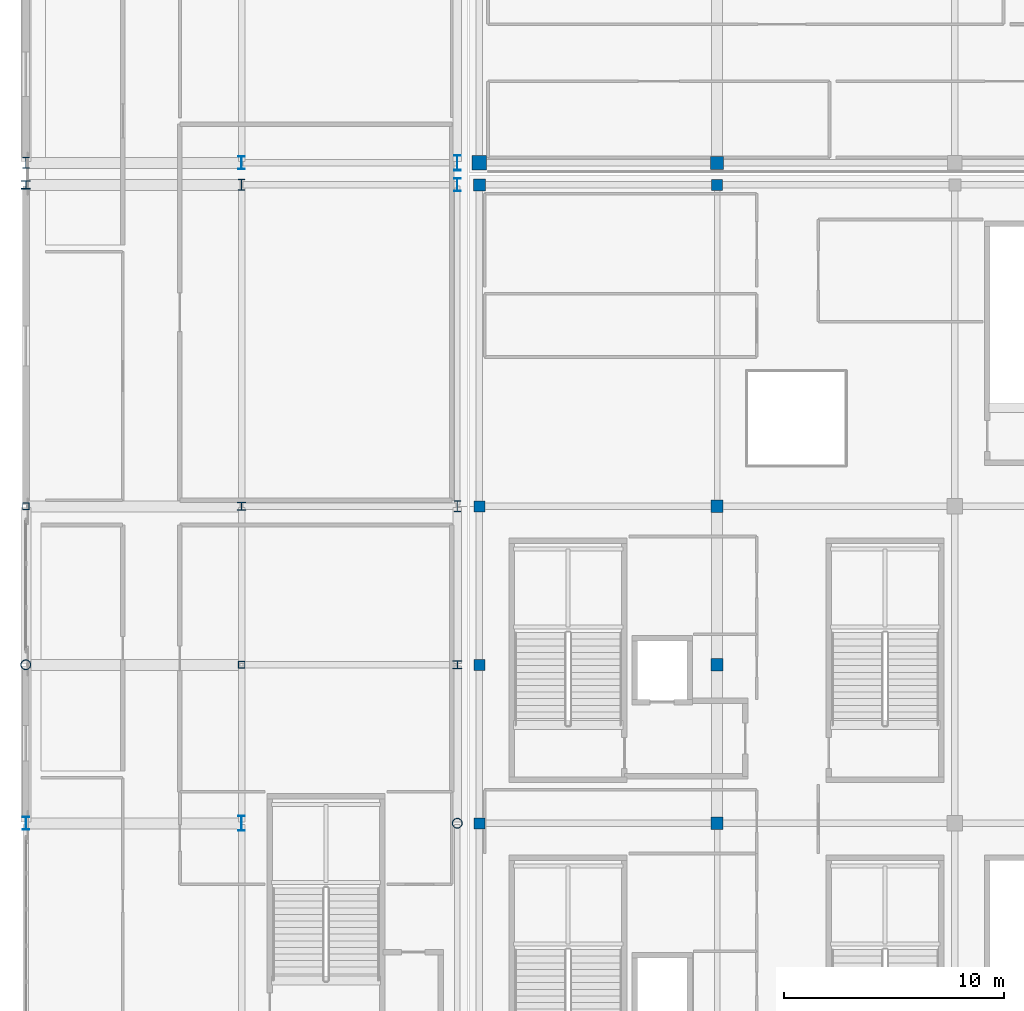
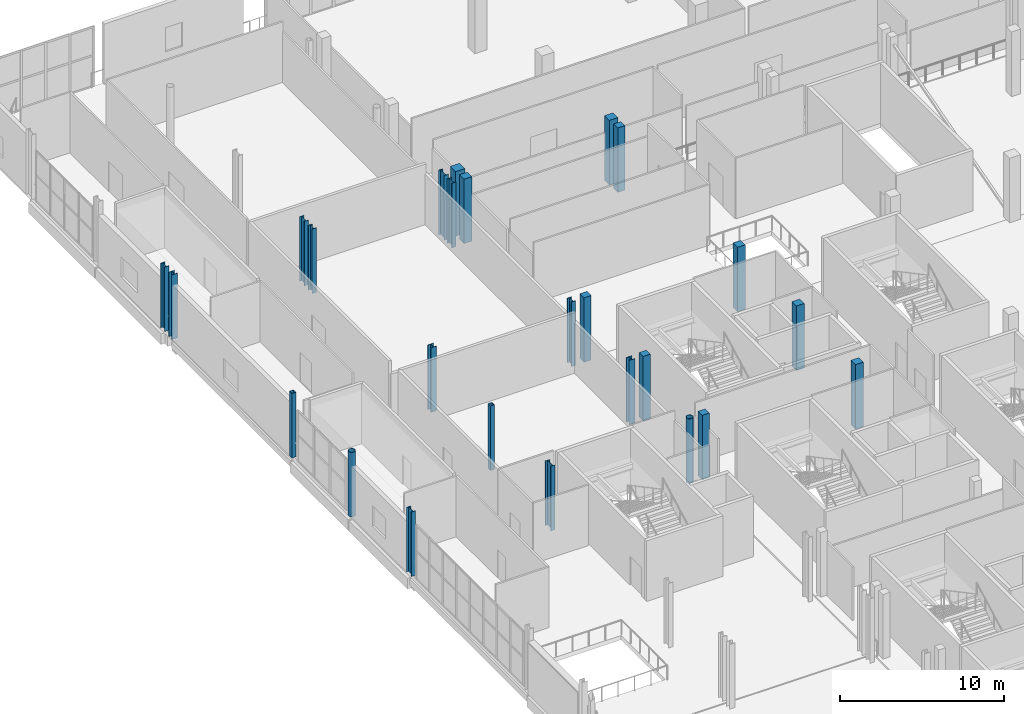
# One storey, part 7 of 129: 25 columns.
"""IFC4 building model written with IfcOpenShell, lengths in metres."""

from ifc_helpers import new_model, si_unit, direction, frame, origin, origin_2d, place, context, subcontext, project, spatial, rectangle, hollow_rectangle, hollow_circle, i_section, extrude, material, material_profile, profile_set, type_object, element, save


model = new_model("IFC4")

# Units and contexts
model_context = context("Model", 3, precision=1e-05, world=origin(), true_north=direction((0.0, 1.0)))
body_context = subcontext(model_context, "Body", "Model", "MODEL_VIEW")
ifc_project = project(units=[si_unit("LENGTHUNIT", "METRE"), si_unit("AREAUNIT", "SQUARE_METRE"), si_unit("VOLUMEUNIT", "CUBIC_METRE"), si_unit("PLANEANGLEUNIT", "RADIAN"), si_unit("MASSUNIT", "GRAM", prefix="KILO")], contexts=[model_context])

# Site, building, storey
site_placement = place(None, origin())
site = spatial("IfcSite", under=ifc_project, at=site_placement, CompositionType="ELEMENT")
building_placement = place(site_placement, origin())
building = spatial("IfcBuilding", under=site, at=building_placement, Name="Koshinbarg Plaza Stadium", CompositionType="ELEMENT")
storey_placement = place(building_placement, frame((0.0, 0.0, 5.39990234375)))
storey = spatial("IfcBuildingStorey", under=building, at=storey_placement, Name="L01", CompositionType="ELEMENT", Elevation=5.39990234375)

# Columns
ifc_material_1 = material(Name="Concrete C40/50", Category="concrete")
ifc_material_profile_1 = material_profile(ifc_material_1, rectangle(XDim=0.5, YDim=0.5, at=origin_2d()), Name="RC 500x500")
ifc_profile_set_1 = profile_set([ifc_material_profile_1], Name="Concrete C40/50")
column_type_1 = type_object("IfcColumnType", Name="COL-RC-02", PredefinedType="COLUMN", material=ifc_profile_set_1)
for number, where, z_axis, x_axis, name in (
    (1, (24.60009765625, 97.5, 0.0), (0.0, 0.0, 1.0), (1.0, 0.0, 0.0), "L01 column 5/N"),
    (2, (24.60009765625, 104.699951171875, 0.0), (0.0, 0.0, 1.0), (1.0, 0.0, 0.0), "L01 column 5/P"),
    (3, (24.60009765625, 111.89990234375, 0.0), (0.0, 0.0, 1.0), (1.0, 0.0, 0.0), "L01 column 5/Q"),
    (4, (35.39990234375, 126.5, 0.0), (0.0, 0.0, 1.0), (1.0, 0.0, 0.0), "L01 column 6/R"),
):
    element("IfcColumn", number, at=place(storey_placement, frame(where, z_axis=z_axis, x_axis=x_axis)), inside=storey, type_object=column_type_1, Name=name, PredefinedType="COLUMN", context=body_context, shape_type="SweptSolid", body=[
        extrude(rectangle(XDim=0.5, YDim=0.5, at=origin_2d()), origin(), (0.0, 0.0, 1.0), 4.800048828125),
    ])
ifc_material_profile_2 = material_profile(ifc_material_1, rectangle(XDim=0.550048828125, YDim=0.550048828125, at=origin_2d()), Name="RC 550x550")
ifc_profile_set_2 = profile_set([ifc_material_profile_2], Name="Concrete C40/50")
column_type_2 = type_object("IfcColumnType", Name="COL-RC-03", PredefinedType="COLUMN", material=ifc_profile_set_2)
for number, where, z_axis, x_axis, name in (
    (5, (24.60009765625, 126.5, 0.0), (0.0, 0.0, 1.0), (1.0, 0.0, 0.0), "L01 column 5/R"),
    (6, (35.39990234375, 97.5, 0.0), (0.0, 0.0, 1.0), (1.0, 0.0, 0.0), "L01 column 6/N"),
    (7, (35.39990234375, 104.699951171875, 0.0), (0.0, 0.0, 1.0), (1.0, 0.0, 0.0), "L01 column 6/P"),
    (8, (35.39990234375, 111.89990234375, 0.0), (0.0, 0.0, 1.0), (1.0, 0.0, 0.0), "L01 column 6/Q"),
):
    element("IfcColumn", number, at=place(storey_placement, frame(where, z_axis=z_axis, x_axis=x_axis)), inside=storey, type_object=column_type_2, Name=name, PredefinedType="COLUMN", context=body_context, shape_type="SweptSolid", body=[
        extrude(rectangle(XDim=0.550048828125, YDim=0.550048828125, at=origin_2d()), origin(), (0.0, 0.0, 1.0), 4.800048828125),
    ])
ifc_material_profile_3 = material_profile(ifc_material_1, rectangle(XDim=0.60009765625, YDim=0.60009765625, at=origin_2d()), Name="RC 600x600")
ifc_profile_set_3 = profile_set([ifc_material_profile_3], Name="Concrete C40/50")
column_type_3 = type_object("IfcColumnType", Name="COL-RC-04", PredefinedType="COLUMN", material=ifc_profile_set_3)
column_1_placement = place(storey_placement, frame((35.39990234375, 127.5, 0.0), z_axis=(0.0, 0.0, 1.0), x_axis=(1.0, 0.0, 0.0)))
element("IfcColumn", 9, at=column_1_placement, inside=storey, type_object=column_type_3, Name="L01 column 6/S", PredefinedType="COLUMN", context=body_context, shape_type="SweptSolid", body=[
    extrude(rectangle(XDim=0.60009765625, YDim=0.60009765625, at=origin_2d()), origin(), (0.0, 0.0, 1.0), 4.800048828125),
])
ifc_material_profile_4 = material_profile(ifc_material_1, rectangle(XDim=0.64990234375, YDim=0.64990234375, at=origin_2d()), Name="RC 650x650")
ifc_profile_set_4 = profile_set([ifc_material_profile_4], Name="Concrete C40/50")
column_type_4 = type_object("IfcColumnType", Name="COL-RC-05", PredefinedType="COLUMN", material=ifc_profile_set_4)
column_2_placement = place(storey_placement, frame((24.60009765625, 127.5, 0.0), z_axis=(0.0, 0.0, 1.0), x_axis=(1.0, 0.0, 0.0)))
element("IfcColumn", 10, at=column_2_placement, inside=storey, type_object=column_type_4, Name="L01 column 5/S", PredefinedType="COLUMN", context=body_context, shape_type="SweptSolid", body=[
    extrude(rectangle(XDim=0.64990234375, YDim=0.64990234375, at=origin_2d()), origin(), (0.0, 0.0, 1.0), 4.800048828125),
])
ifc_material_2 = material(Name="Steel S355", Category="steel")
ifc_material_profile_5 = material_profile(ifc_material_2, i_section(OverallWidth=0.39501953125, OverallDepth=0.3798828125, WebThickness=0.018798828125, FlangeThickness=0.0302734375, at=origin_2d()), Name="HD 400x237")
ifc_profile_set_5 = profile_set([ifc_material_profile_5], Name="Steel S355")
column_type_5 = type_object("IfcColumnType", Name="COL-STL-01", PredefinedType="COLUMN", material=ifc_profile_set_5)
for number, where, z_axis, x_axis, name in (
    (11, (4.0, 126.5, 0.0), (0.0, 0.0, 1.0), (1.0, 0.0, 0.0), "L01 column 2/R"),
    (12, (13.800048828125, 111.89990234375, 0.0), (0.0, 0.0, 1.0), (1.0, 0.0, 0.0), "L01 column 3/Q"),
    (13, (23.60009765625, 104.699951171875, 0.0), (0.0, 0.0, 1.0), (1.0, 0.0, 0.0), "L01 column 4/P"),
):
    element("IfcColumn", number, at=place(storey_placement, frame(where, z_axis=z_axis, x_axis=x_axis)), inside=storey, type_object=column_type_5, Name=name, PredefinedType="COLUMN", context=body_context, shape_type="SweptSolid", body=[
        extrude(i_section(OverallWidth=0.39501953125, OverallDepth=0.3798828125, WebThickness=0.018798828125, FlangeThickness=0.0302734375, at=origin_2d()), origin(), (0.0, 0.0, 1.0), 4.800048828125),
    ])
ifc_material_profile_6 = material_profile(ifc_material_2, i_section(OverallWidth=0.300048828125, OverallDepth=0.5, WebThickness=0.014404296875, FlangeThickness=0.028076171875, at=origin_2d()), Name="HEB 500")
ifc_profile_set_6 = profile_set([ifc_material_profile_6], Name="Steel S355")
column_type_6 = type_object("IfcColumnType", Name="COL-STL-02", PredefinedType="COLUMN", material=ifc_profile_set_6)
for number, where, z_axis, x_axis, name in (
    (14, (4.0, 127.5, 0.0), (0.0, 0.0, 1.0), (1.0, 0.0, 0.0), "L01 column 2/S"),
    (15, (13.800048828125, 126.5, 0.0), (0.0, 0.0, 1.0), (1.0, 0.0, 0.0), "L01 column 3/R"),
    (16, (23.60009765625, 111.89990234375, 0.0), (0.0, 0.0, 1.0), (1.0, 0.0, 0.0), "L01 column 4/Q"),
):
    element("IfcColumn", number, at=place(storey_placement, frame(where, z_axis=z_axis, x_axis=x_axis)), inside=storey, type_object=column_type_6, Name=name, PredefinedType="COLUMN", context=body_context, shape_type="SweptSolid", body=[
        extrude(i_section(OverallWidth=0.300048828125, OverallDepth=0.5, WebThickness=0.014404296875, FlangeThickness=0.028076171875, at=origin_2d()), origin(), (0.0, 0.0, 1.0), 4.800048828125),
    ])
ifc_material_profile_7 = material_profile(ifc_material_2, i_section(OverallWidth=0.300048828125, OverallDepth=0.60009765625, WebThickness=0.015380859375, FlangeThickness=0.030029296875, at=origin_2d()), Name="HEB 600")
ifc_profile_set_7 = profile_set([ifc_material_profile_7], Name="Steel S355")
column_type_7 = type_object("IfcColumnType", Name="COL-STL-03", PredefinedType="COLUMN", material=ifc_profile_set_7)
for number, where, z_axis, x_axis, name in (
    (17, (4.0, 97.5, 0.0), (0.0, 0.0, 1.0), (1.0, 0.0, 0.0), "L01 column 2/N"),
    (18, (13.800048828125, 127.5, 0.0), (0.0, 0.0, 1.0), (1.0, 0.0, 0.0), "L01 column 3/S"),
    (19, (23.60009765625, 126.5, 0.0), (0.0, 0.0, 1.0), (1.0, 0.0, 0.0), "L01 column 4/R"),
):
    element("IfcColumn", number, at=place(storey_placement, frame(where, z_axis=z_axis, x_axis=x_axis)), inside=storey, type_object=column_type_7, Name=name, PredefinedType="COLUMN", context=body_context, shape_type="SweptSolid", body=[
        extrude(i_section(OverallWidth=0.300048828125, OverallDepth=0.60009765625, WebThickness=0.015380859375, FlangeThickness=0.030029296875, at=origin_2d()), origin(), (0.0, 0.0, 1.0), 4.800048828125),
    ])
ifc_material_profile_8 = material_profile(ifc_material_2, i_section(OverallWidth=0.300048828125, OverallDepth=0.699951171875, WebThickness=0.01708984375, FlangeThickness=0.031982421875, at=origin_2d()), Name="HEB 700")
ifc_profile_set_8 = profile_set([ifc_material_profile_8], Name="Steel S355")
column_type_8 = type_object("IfcColumnType", Name="COL-STL-04", PredefinedType="COLUMN", material=ifc_profile_set_8)
for number, where, z_axis, x_axis, name in (
    (20, (13.800048828125, 97.5, 0.0), (0.0, 0.0, 1.0), (1.0, 0.0, 0.0), "L01 column 3/N"),
    (21, (23.60009765625, 127.5, 0.0), (0.0, 0.0, 1.0), (1.0, 0.0, 0.0), "L01 column 4/S"),
):
    element("IfcColumn", number, at=place(storey_placement, frame(where, z_axis=z_axis, x_axis=x_axis)), inside=storey, type_object=column_type_8, Name=name, PredefinedType="COLUMN", context=body_context, shape_type="SweptSolid", body=[
        extrude(i_section(OverallWidth=0.300048828125, OverallDepth=0.699951171875, WebThickness=0.01708984375, FlangeThickness=0.031982421875, at=origin_2d()), origin(), (0.0, 0.0, 1.0), 4.800048828125),
    ])
ifc_material_profile_9 = material_profile(ifc_material_2, hollow_circle(Radius=0.228515625, WallThickness=0.02001953125, at=origin_2d()), Name="CHS 457x20")
ifc_profile_set_9 = profile_set([ifc_material_profile_9], Name="Steel S355")
column_type_9 = type_object("IfcColumnType", Name="COL-STL-05", PredefinedType="COLUMN", material=ifc_profile_set_9)
for number, where, z_axis, x_axis, name in (
    (22, (4.0, 104.699951171875, 0.0), (0.0, 0.0, 1.0), (1.0, 0.0, 0.0), "L01 column 2/P"),
    (23, (23.60009765625, 97.5, 0.0), (0.0, 0.0, 1.0), (1.0, 0.0, 0.0), "L01 column 4/N"),
):
    element("IfcColumn", number, at=place(storey_placement, frame(where, z_axis=z_axis, x_axis=x_axis)), inside=storey, type_object=column_type_9, Name=name, PredefinedType="COLUMN", context=body_context, shape_type="SweptSolid", body=[
        extrude(hollow_circle(Radius=0.228515625, WallThickness=0.02001953125, at=origin_2d()), origin(), (0.0, 0.0, 1.0), 4.800048828125),
    ])
ifc_material_profile_10 = material_profile(ifc_material_2, hollow_rectangle(XDim=0.300048828125, YDim=0.300048828125, WallThickness=0.01611328125, at=origin_2d()), Name="SHS 300x300x16")
ifc_profile_set_10 = profile_set([ifc_material_profile_10], Name="Steel S355")
column_type_10 = type_object("IfcColumnType", Name="COL-STL-06", PredefinedType="COLUMN", material=ifc_profile_set_10)
for number, where, z_axis, x_axis, name in (
    (24, (4.0, 111.89990234375, 0.0), (0.0, 0.0, 1.0), (1.0, 0.0, 0.0), "L01 column 2/Q"),
    (25, (13.800048828125, 104.699951171875, 0.0), (0.0, 0.0, 1.0), (1.0, 0.0, 0.0), "L01 column 3/P"),
):
    element("IfcColumn", number, at=place(storey_placement, frame(where, z_axis=z_axis, x_axis=x_axis)), inside=storey, type_object=column_type_10, Name=name, PredefinedType="COLUMN", context=body_context, shape_type="SweptSolid", body=[
        extrude(hollow_rectangle(XDim=0.300048828125, YDim=0.300048828125, WallThickness=0.01611328125, at=origin_2d()), origin(), (0.0, 0.0, 1.0), 4.800048828125),
    ])

save(model, "model.ifc")
